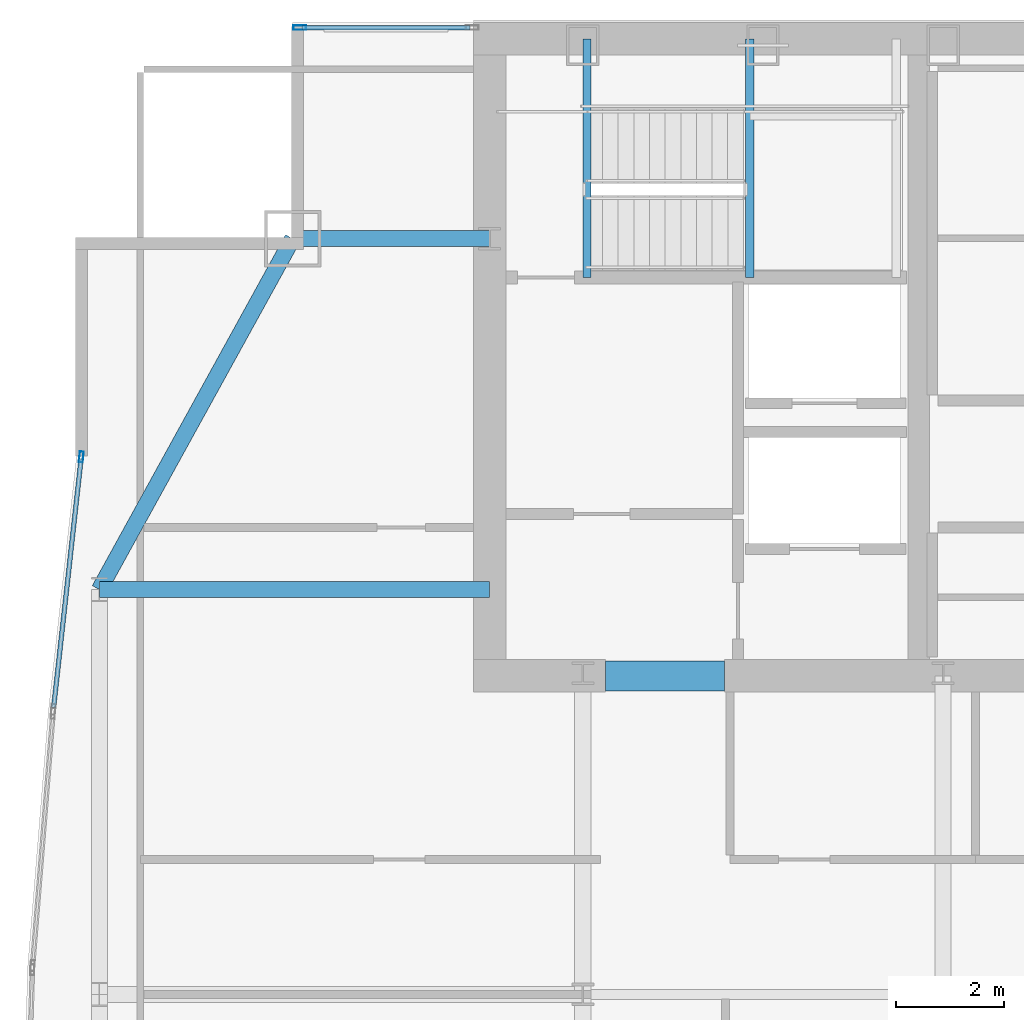
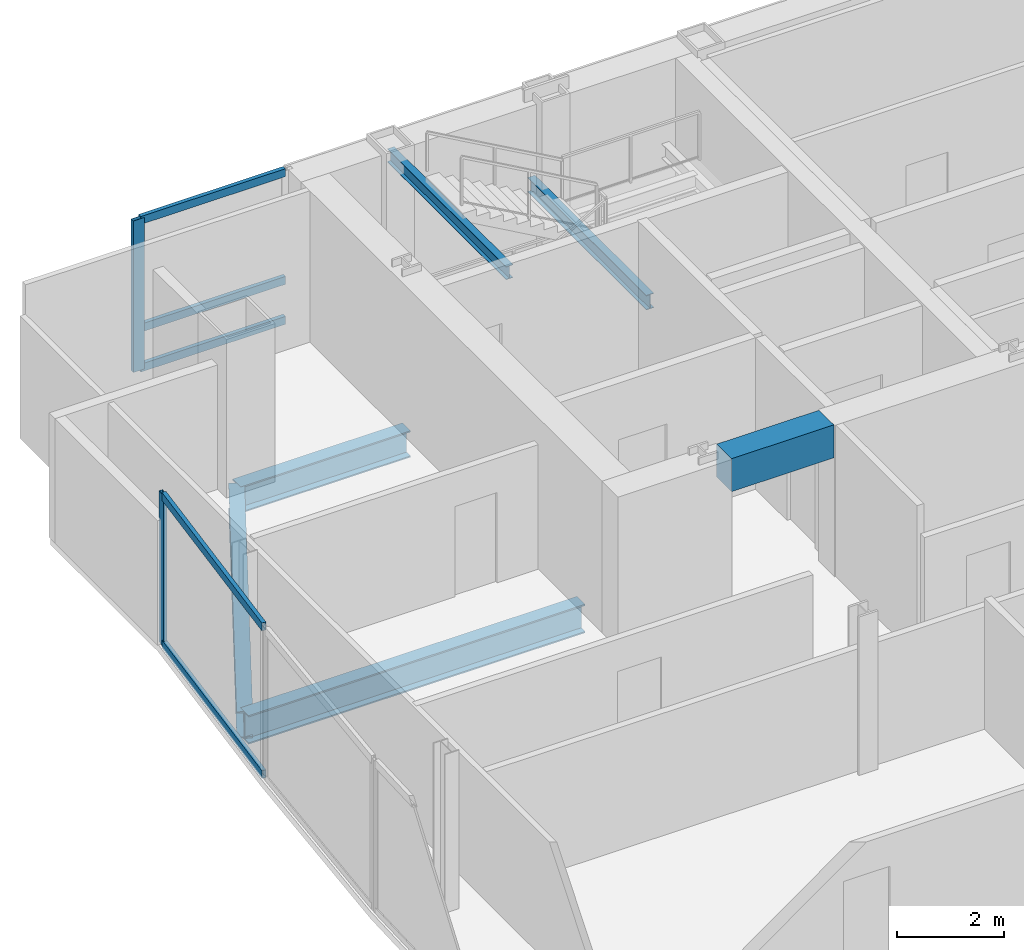
# One storey, part 19 of 29: 7 members, 6 beams, 2 elements without a shape of their own.
"""IFC4 building model written with IfcOpenShell, lengths in metres."""

import ifcopenshell
import ifcopenshell.guid

model = None  # the IFC model being written
_history = None  # IfcOwnerHistory: only IFC2X3 demands one
_inside = {}  # id of a spatial element -> (the spatial element, [elements in it])
_under = {}  # id of a project, library or spatial element -> (it, [spatial elements below it])
_declared = {}  # id of a project -> (the project, [libraries it declares])
_typed = {}  # id of a type object -> (the type object, [elements of that type])
_made_of = {}  # id of a material, layer set ... -> (it, [elements and type objects made of it])


def new_model(schema):
    """Start an empty IFC model of exactly this schema.

    Asked for "IFC4X3", IfcOpenShell would pick the latest addendum, in which some entities
    have other attributes; the version numbers below select the first issue.
    IFC2X3 requires an IfcOwnerHistory on every rooted entity: one is made here for all.
    """
    global model, _history
    if schema == "IFC4X3":
        model = ifcopenshell.file(schema_version=(4, 3, 0, 0))
    else:
        model = ifcopenshell.file(schema=schema)
    _inside.clear()
    _under.clear()
    _declared.clear()
    _typed.clear()
    _made_of.clear()
    _history = None
    if model.schema == "IFC2X3":
        org = make("IfcOrganization", Name="unknown")
        user = make(
            "IfcPersonAndOrganization",
            ThePerson=make("IfcPerson", FamilyName="unknown"),
            TheOrganization=org,
        )
        app = make(
            "IfcApplication",
            ApplicationDeveloper=org,
            Version="unknown",
            ApplicationFullName="unknown",
            ApplicationIdentifier="unknown",
        )
        _history = make(
            "IfcOwnerHistory",
            OwningUser=user,
            OwningApplication=app,
            ChangeAction="ADDED",
            CreationDate=0,
        )
    return model


def make(cls, **values):
    """One entity of the class cls with the attributes given. An attribute that is None is left unset."""
    return model.create_entity(
        cls, **{name: value for name, value in values.items() if value is not None}
    )


def rooted(cls, **values):
    """An entity with a GlobalId (a new one), such as an element, a storey or a relation."""
    return make(cls, GlobalId=ifcopenshell.guid.new(), OwnerHistory=_history, **values)


def si_unit(unit_type, name, prefix=None):
    """IfcSIUnit, for example si_unit("LENGTHUNIT", "METRE", prefix="MILLI")."""
    return make("IfcSIUnit", UnitType=unit_type, Prefix=prefix, Name=name)


def assignment(units):
    """IfcUnitAssignment: the units of a project."""
    return None if units is None else make("IfcUnitAssignment", Units=units)


def point(xyz):
    """IfcCartesianPoint."""
    return None if xyz is None else make("IfcCartesianPoint", Coordinates=xyz)


def direction(xyz):
    """IfcDirection."""
    return None if xyz is None else make("IfcDirection", DirectionRatios=xyz)


def frame(location, z_axis=None, x_axis=None):
    """IfcAxis2Placement3D, a coordinate frame: its origin and axes. An axis left out is left unset."""
    return make(
        "IfcAxis2Placement3D",
        Location=point(location),
        Axis=direction(z_axis),
        RefDirection=direction(x_axis),
    )


def frame_2d(location, x_axis=None):
    """IfcAxis2Placement2D, a coordinate frame in the plane: its origin and x axis."""
    return make(
        "IfcAxis2Placement2D", Location=point(location), RefDirection=direction(x_axis)
    )


def origin():
    """The frame at (0, 0, 0) with its axes left unset."""
    return frame((0.0, 0.0, 0.0))


def origin_2d():
    """The frame at (0, 0) in the plane with its x axis left unset."""
    return frame_2d((0.0, 0.0))


def place(relative_to, where):
    """IfcLocalPlacement: puts the frame where relative to a parent placement (None: the world)."""
    return make(
        "IfcLocalPlacement", PlacementRelTo=relative_to, RelativePlacement=where
    )


def context(
    kind, dimensions, precision=None, world=None, true_north=None, identifier=None
):
    """IfcGeometricRepresentationContext, for example the 3D "Model" context."""
    return make(
        "IfcGeometricRepresentationContext",
        ContextIdentifier=identifier,
        ContextType=kind,
        CoordinateSpaceDimension=dimensions,
        Precision=precision,
        WorldCoordinateSystem=world,
        TrueNorth=true_north,
    )


def subcontext(parent, identifier, kind, view, scale=None):
    """IfcGeometricRepresentationSubContext, for example "Body" below "Model"."""
    return make(
        "IfcGeometricRepresentationSubContext",
        ContextIdentifier=identifier,
        ContextType=kind,
        ParentContext=parent,
        TargetScale=scale,
        TargetView=view,
    )


def project(units=None, contexts=None):
    """IfcProject with its units and contexts."""
    return rooted(
        "IfcProject",
        Name="project",
        RepresentationContexts=contexts,
        UnitsInContext=assignment(units),
    )


def spatial(cls, under=None, at=None, **own):
    """A site, building, storey or space (cls), placed at a placement, below another one or the project."""
    s = rooted(cls, ObjectPlacement=at, **own)
    if under is not None:
        _under.setdefault(under.id(), (under, []))[1].append(s)
    return s


def profile(cls, at=None, kind="AREA", **sizes):
    """A parametric profile (cls). Its sizes go by their IFC names, for example OverallWidth=200.0."""
    return make(cls, ProfileType=kind, Position=at, **sizes)


def rectangle(**sizes):
    """IfcRectangleProfileDef."""
    return profile("IfcRectangleProfileDef", **sizes)


def hollow_rectangle(**sizes):
    """IfcRectangleHollowProfileDef."""
    return profile("IfcRectangleHollowProfileDef", **sizes)


def i_section(**sizes):
    """IfcIShapeProfileDef."""
    return profile("IfcIShapeProfileDef", **sizes)


def extrude(swept, where, along, depth):
    """IfcExtrudedAreaSolid: the profile swept, set in the frame where, extruded along a direction by depth."""
    return make(
        "IfcExtrudedAreaSolid",
        SweptArea=swept,
        Position=where,
        ExtrudedDirection=direction(along),
        Depth=depth,
    )


def shape(context_of_items, identifier, shape_type, items):
    """IfcShapeRepresentation: the items that make up one representation, for example the "Body"."""
    return make(
        "IfcShapeRepresentation",
        ContextOfItems=context_of_items,
        RepresentationIdentifier=identifier,
        RepresentationType=shape_type,
        Items=items,
    )


def material(Name=None, Category=None):
    """IfcMaterial."""
    return make("IfcMaterial", Name=Name, Category=Category)


def material_profile(
    of_material, cross_section, Name=None, Category=None, Priority=None
):
    """IfcMaterialProfile: a cross section and its material."""
    return make(
        "IfcMaterialProfile",
        Name=Name,
        Material=of_material,
        Profile=cross_section,
        Priority=Priority,
        Category=Category,
    )


def profile_set(profiles, Name=None, composite=None):
    """IfcMaterialProfileSet."""
    return make(
        "IfcMaterialProfileSet",
        Name=Name,
        MaterialProfiles=profiles,
        CompositeProfile=composite,
    )


def made_of(thing, what):
    """Note that an element or type object is made of a material, layer set ...; save() writes the relation."""
    if what is not None:
        _made_of.setdefault(what.id(), (what, []))[1].append(thing)
    return thing


def type_object(cls, material=None, **own):
    """A type object (cls), such as IfcWallType, which elements share."""
    return made_of(rooted(cls, **own), material)


def element(
    cls,
    number,
    at=None,
    inside=None,
    cuts=None,
    type_object=None,
    material=None,
    context=None,
    identifier="Body",
    shape_type=None,
    held_by="IfcProductDefinitionShape",
    body=None,
    shapes=None,
    **own,
):
    """One element of the class cls, such as IfcWall. Its Tag is "e" and its number.

    at: its placement. inside: the storey or other place that contains it. cuts: it is an
    opening in that element (IfcRelVoidsElement). A single representation is given by context,
    identifier, shape_type and body (its items); several are given by shapes. held_by: the class
    of the entity that holds the representations. save() writes the other relations.
    """
    e = rooted(cls, Tag="e%d" % number, ObjectPlacement=at, **own)
    if body is not None:
        shapes = [shape(context, identifier, shape_type, body)]
    if shapes is not None:
        e.Representation = make(held_by, Representations=shapes)
    if inside is not None:
        _inside.setdefault(inside.id(), (inside, []))[1].append(e)
    if cuts is not None:
        rooted(
            "IfcRelVoidsElement", RelatingBuildingElement=cuts, RelatedOpeningElement=e
        )
    if type_object is not None:
        _typed.setdefault(type_object.id(), (type_object, []))[1].append(e)
    return made_of(e, material)


def aggregate(whole, parts):
    """IfcRelAggregates: a whole, such as a stair, and the parts it consists of."""
    return rooted("IfcRelAggregates", RelatingObject=whole, RelatedObjects=parts)


def save(model, path):
    """Write the relations noted so far, then the file.

    IfcRelAggregates (storeys below a building ...), IfcRelContainedInSpatialStructure (elements
    in a storey), IfcRelDefinesByType, IfcRelAssociatesMaterial and IfcRelDeclares: one each for
    every whole, place, type object, material and project.
    """
    for whole, parts in _under.values():
        aggregate(whole, parts)
    for where, things in _inside.values():
        rooted(
            "IfcRelContainedInSpatialStructure",
            RelatedElements=things,
            RelatingStructure=where,
        )
    for kind, things in _typed.values():
        rooted("IfcRelDefinesByType", RelatedObjects=things, RelatingType=kind)
    for what, things in _made_of.values():
        rooted("IfcRelAssociatesMaterial", RelatedObjects=things, RelatingMaterial=what)
    for by, libraries in _declared.values():
        rooted("IfcRelDeclares", RelatingContext=by, RelatedDefinitions=libraries)
    model.write(path)


model = new_model("IFC4")

# Units and contexts
model_context = context("Model", 3, precision=1e-05, world=origin(), true_north=direction((0.0, 1.0)))
body_context = subcontext(model_context, "Body", "Model", "MODEL_VIEW")
ifc_project = project(units=[si_unit("LENGTHUNIT", "METRE"), si_unit("AREAUNIT", "SQUARE_METRE"), si_unit("VOLUMEUNIT", "CUBIC_METRE"), si_unit("PLANEANGLEUNIT", "RADIAN"), si_unit("MASSUNIT", "GRAM", prefix="KILO")], contexts=[model_context])

# Site, building, storey
site_placement = place(None, origin())
site = spatial("IfcSite", under=ifc_project, at=site_placement, CompositionType="ELEMENT")
building_placement = place(site_placement, origin())
building = spatial("IfcBuilding", under=site, at=building_placement, Name="Khoronbel Lancet Exchange", CompositionType="ELEMENT")
storey_placement = place(building_placement, frame((0.0, 0.0, 246.199951171875)))
storey = spatial("IfcBuildingStorey", under=building, at=storey_placement, Name="L63", CompositionType="ELEMENT", Elevation=246.199951171875)

# Beams
ifc_material_1 = material(Name="Steel S355", Category="steel")
ifc_material_profile_1 = material_profile(ifc_material_1, i_section(OverallWidth=0.300048828125, OverallDepth=0.64990234375, WebThickness=0.01611328125, FlangeThickness=0.031005859375, at=origin_2d()), Name="HEB 650")
ifc_profile_set_1 = profile_set([ifc_material_profile_1], Name="Steel S355")
beam_type_1 = type_object("IfcBeamType", Name="BM-BG4", PredefinedType="BEAM", material=ifc_profile_set_1)
beam_1_placement = place(storey_placement, frame((9.27001953125, 43.199951171875, -0.48486328125), z_axis=(1.0, 0.0, 0.0), x_axis=(0.0, 1.0, 0.0)))
element("IfcBeam", 1, at=beam_1_placement, inside=storey, type_object=beam_type_1, Name="Level L63 west lens tie girder LG3W", PredefinedType="BEAM", context=body_context, shape_type="SweptSolid", body=[
    extrude(i_section(OverallWidth=0.300048828125, OverallDepth=0.64990234375, WebThickness=0.01611328125, FlangeThickness=0.031005859375, at=origin_2d()), origin(), (0.0, 0.0, 1.0), 7.22998046875),
])
ifc_material_profile_2 = material_profile(ifc_material_1, i_section(OverallWidth=0.159912109375, OverallDepth=0.330078125, WebThickness=0.007568359375, FlangeThickness=0.011474609375, at=origin_2d()), Name="IPE 330")
ifc_profile_set_2 = profile_set([ifc_material_profile_2], Name="Steel S355")
beam_type_2 = type_object("IfcBeamType", Name="BM-BJ7", PredefinedType="JOIST", material=ifc_profile_set_2)
beam_2_placement = place(storey_placement, frame((21.320068359375, 48.97998046875, 1.43505859375), z_axis=(0.0, 1.0, 0.0), x_axis=(-1.0, 0.0, 0.0)))
element("IfcBeam", 2, at=beam_2_placement, inside=storey, type_object=beam_type_2, Name="Level L63 stair ST1 landing bearer beam 1", PredefinedType="JOIST", context=body_context, shape_type="SweptSolid", body=[
    extrude(i_section(OverallWidth=0.159912109375, OverallDepth=0.330078125, WebThickness=0.007568359375, FlangeThickness=0.011474609375, at=origin_2d()), origin(), (0.0, 0.0, 1.0), 4.419921875),
])
ifc_material_profile_3 = material_profile(ifc_material_1, i_section(OverallWidth=0.14990234375, OverallDepth=0.300048828125, WebThickness=0.007080078125, FlangeThickness=0.0107421875, at=origin_2d()), Name="IPE 300")
ifc_profile_set_3 = profile_set([ifc_material_profile_3], Name="Steel S355")
beam_type_3 = type_object("IfcBeamType", Name="BM-BJ8", PredefinedType="JOIST", material=ifc_profile_set_3)
beam_3_placement = place(storey_placement, frame((18.300048828125, 48.97998046875, 3.16015625), z_axis=(0.0, 1.0, 0.0), x_axis=(-1.0, 0.0, 0.0)))
element("IfcBeam", 3, at=beam_3_placement, inside=storey, type_object=beam_type_3, Name="Level L63 stair ST1 upper-flight arrival trimmer beam", PredefinedType="JOIST", context=body_context, shape_type="SweptSolid", body=[
    extrude(i_section(OverallWidth=0.14990234375, OverallDepth=0.300048828125, WebThickness=0.007080078125, FlangeThickness=0.0107421875, at=origin_2d()), origin(), (0.0, 0.0, 1.0), 4.419921875),
])
ifc_material_2 = material(Name="Concrete C60/75", Category="concrete")
ifc_material_profile_4 = material_profile(ifc_material_2, rectangle(XDim=0.550048828125, YDim=0.75, at=origin_2d()), Name="RC 550x750")
ifc_profile_set_4 = profile_set([ifc_material_profile_4], Name="Concrete C60/75")
beam_type_4 = type_object("IfcBeamType", Name="BM-BL2", PredefinedType="LINTEL", material=ifc_profile_set_4)
beam_4_placement = place(storey_placement, frame((18.64990234375, 41.60009765625, 3.06494140625), z_axis=(1.0, 0.0, 0.0), x_axis=(0.0, 1.0, 0.0)))
element("IfcBeam", 4, at=beam_4_placement, inside=storey, type_object=beam_type_4, Name="Level L63 rear core coupling lintel L1", PredefinedType="LINTEL", context=body_context, shape_type="SweptSolid", body=[
    extrude(rectangle(XDim=0.550048828125, YDim=0.75, at=origin_2d()), origin(), (0.0, 0.0, 1.0), 2.2001953125),
])
ifc_material_profile_5 = material_profile(ifc_material_1, i_section(OverallWidth=0.300048828125, OverallDepth=0.60009765625, WebThickness=0.015380859375, FlangeThickness=0.030029296875, at=origin_2d()), Name="HEB 600")
ifc_profile_set_5 = profile_set([ifc_material_profile_5], Name="Steel S355")
beam_type_5 = type_object("IfcBeamType", Name="BM-BSP2", PredefinedType="SPANDREL", material=ifc_profile_set_5)
beam_5_placement = place(storey_placement, frame((12.85009765625, 49.699951171875, -0.4599609375), z_axis=(-0.482444051088, -0.875926787791, 0.0), x_axis=(0.875926787791, -0.482444051088, 0.0)))
element("IfcBeam", 5, at=beam_5_placement, inside=storey, type_object=beam_type_5, Name="Level L63 perimeter spandrel beam SP16", PredefinedType="SPANDREL", context=body_context, shape_type="SweptSolid", body=[
    extrude(i_section(OverallWidth=0.300048828125, OverallDepth=0.60009765625, WebThickness=0.015380859375, FlangeThickness=0.030029296875, at=origin_2d()), origin(), (0.0, 0.0, 1.0), 7.420654296875),
])
beam_6_placement = place(storey_placement, frame((12.85009765625, 49.699951171875, -0.4599609375), z_axis=(1.0, 0.0, 0.0), x_axis=(0.0, 1.0, 0.0)))
element("IfcBeam", 6, at=beam_6_placement, inside=storey, type_object=beam_type_5, Name="Level L63 north flank tie spandrel SP22", PredefinedType="SPANDREL", context=body_context, shape_type="SweptSolid", body=[
    extrude(i_section(OverallWidth=0.300048828125, OverallDepth=0.60009765625, WebThickness=0.015380859375, FlangeThickness=0.030029296875, at=origin_2d()), origin(), (0.0, 0.0, 1.0), 3.64990234375),
])

# Curtain wall, member
ifc_material_3 = material(Name="Low-E Solar Control Insulating Glass", Category="glass")
curtain_wall_type_1 = type_object("IfcCurtainWallType", Name="CW-3", PredefinedType="NOTDEFINED", material=ifc_material_3)
curtain_wall_1_placement = place(storey_placement, origin())
curtain_wall_1 = element("IfcCurtainWall", 7, at=curtain_wall_1_placement, inside=storey, type_object=curtain_wall_type_1, Name="Unitised curtain wall CW-L63-NWFLK", PredefinedType="NOTDEFINED")
ifc_material_4 = material(Name="Bronze-Anodised Aluminium 6063-T6", Category="aluminium")
ifc_material_profile_6 = material_profile(ifc_material_4, hollow_rectangle(XDim=0.0849609375, YDim=0.239990234375, WallThickness=0.006103515625, at=origin_2d()), Name="ALU MULLION 85x240")
ifc_profile_set_6 = profile_set([ifc_material_profile_6], Name="Bronze-Anodised Aluminium 6063-T6")
member_type_1 = type_object("IfcMemberType", Name="MEM-CWM1", PredefinedType="MULLION", material=ifc_profile_set_6)
member_1_placement = place(storey_placement, frame((12.982421875, 53.610107421875, 0.0), z_axis=(0.0, 0.0, 1.0), x_axis=(0.0, -1.0, 0.0)))
member_1 = element("IfcMember", 8, at=member_1_placement, type_object=member_type_1, Name="CW3 mullion 2", PredefinedType="MULLION", context=body_context, shape_type="SweptSolid", body=[
    extrude(hollow_rectangle(XDim=0.0849609375, YDim=0.239990234375, WallThickness=0.006103515625, at=origin_2d()), origin(), (0.0, 0.0, 1.0), 3.43994140625),
])

# Curtain wall, members
curtain_wall_type_2 = type_object("IfcCurtainWallType", Name="CW-4", PredefinedType="NOTDEFINED", material=ifc_material_3)
curtain_wall_2_placement = place(storey_placement, origin())
curtain_wall_2 = element("IfcCurtainWall", 9, at=curtain_wall_2_placement, inside=storey, type_object=curtain_wall_type_2, Name="Unitised curtain wall CW-L63-E09", PredefinedType="NOTDEFINED")
ifc_material_profile_7 = material_profile(ifc_material_4, hollow_rectangle(XDim=0.074951171875, YDim=0.199951171875, WallThickness=0.0048828125, at=origin_2d()), Name="ALU MULLION 75x200")
ifc_profile_set_7 = profile_set([ifc_material_profile_7], Name="Bronze-Anodised Aluminium 6063-T6")
member_type_2 = type_object("IfcMemberType", Name="MEM-CWM2", PredefinedType="MULLION", material=ifc_profile_set_7)
member_2_placement = place(storey_placement, frame((8.935791015625, 45.65771484375, 0.0), z_axis=(0.0, 0.0, 1.0), x_axis=(-0.993947317123, 0.109857775256, 0.0)))
member_2 = element("IfcMember", 10, at=member_2_placement, type_object=member_type_2, Name="CW4 mullion 2", PredefinedType="MULLION", context=body_context, shape_type="SweptSolid", body=[
    extrude(hollow_rectangle(XDim=0.074951171875, YDim=0.199951171875, WallThickness=0.0048828125, at=origin_2d()), origin(), (0.0, 0.0, 1.0), 3.43994140625),
])
ifc_material_profile_8 = material_profile(ifc_material_4, hollow_rectangle(XDim=0.0849609375, YDim=0.179931640625, WallThickness=0.0048828125, at=origin_2d()), Name="ALU TRANSOM 85x180")
ifc_profile_set_8 = profile_set([ifc_material_profile_8], Name="Bronze-Anodised Aluminium 6063-T6")
member_type_3 = type_object("IfcMemberType", Name="MEM-CWT1", PredefinedType="USERDEFINED", material=ifc_profile_set_8)
member_3_placement = place(storey_placement, frame((8.4228515625, 41.015869140625, 0.04248046875), z_axis=(0.109829937442, 0.993950393552, 0.0), x_axis=(-0.993950393552, 0.109829937442, 0.0)))
member_3 = element("IfcMember", 11, at=member_3_placement, type_object=member_type_3, Name="CW4 transom 1.1", ObjectType="TRANSOM", PredefinedType="USERDEFINED", context=body_context, shape_type="SweptSolid", body=[
    extrude(hollow_rectangle(XDim=0.0849609375, YDim=0.179931640625, WallThickness=0.0048828125, at=origin_2d()), origin(), (0.0, 0.0, 1.0), 4.632568359375),
])
member_4_placement = place(storey_placement, frame((8.4228515625, 41.015869140625, 3.3974609375), z_axis=(0.109829937442, 0.993950393552, 0.0), x_axis=(-0.993950393552, 0.109829937442, 0.0)))
member_4 = element("IfcMember", 12, at=member_4_placement, type_object=member_type_3, Name="CW4 transom 1.2", ObjectType="TRANSOM", PredefinedType="USERDEFINED", context=body_context, shape_type="SweptSolid", body=[
    extrude(hollow_rectangle(XDim=0.0849609375, YDim=0.179931640625, WallThickness=0.0048828125, at=origin_2d()), origin(), (0.0, 0.0, 1.0), 4.632568359375),
])
aggregate(curtain_wall_2, [member_2, member_3, member_4])

# Member
member_5_placement = place(storey_placement, frame((16.135009765625, 53.610107421875, 0.04248046875), z_axis=(-1.0, 0.0, 0.0), x_axis=(0.0, -1.0, 0.0)))
member_5 = element("IfcMember", 13, at=member_5_placement, type_object=member_type_3, Name="CW3 transom 1.1", ObjectType="TRANSOM", PredefinedType="USERDEFINED", context=body_context, shape_type="SweptSolid", body=[
    extrude(hollow_rectangle(XDim=0.0849609375, YDim=0.179931640625, WallThickness=0.0048828125, at=origin_2d()), origin(), (0.0, 0.0, 1.0), 3.110107421875),
])

member_6_placement = place(storey_placement, frame((16.135009765625, 53.610107421875, 0.949951171875), z_axis=(-1.0, 0.0, 0.0), x_axis=(0.0, -1.0, 0.0)))
member_6 = element("IfcMember", 14, at=member_6_placement, type_object=member_type_3, Name="CW3 transom 1.2", ObjectType="TRANSOM", PredefinedType="USERDEFINED", context=body_context, shape_type="SweptSolid", body=[
    extrude(hollow_rectangle(XDim=0.0849609375, YDim=0.179931640625, WallThickness=0.0048828125, at=origin_2d()), origin(), (0.0, 0.0, 1.0), 3.110107421875),
])

member_7_placement = place(storey_placement, frame((16.135009765625, 53.610107421875, 3.3974609375), z_axis=(-1.0, 0.0, 0.0), x_axis=(0.0, -1.0, 0.0)))
member_7 = element("IfcMember", 15, at=member_7_placement, type_object=member_type_3, Name="CW3 transom 1.3", ObjectType="TRANSOM", PredefinedType="USERDEFINED", context=body_context, shape_type="SweptSolid", body=[
    extrude(hollow_rectangle(XDim=0.0849609375, YDim=0.179931640625, WallThickness=0.0048828125, at=origin_2d()), origin(), (0.0, 0.0, 1.0), 3.110107421875),
])

aggregate(curtain_wall_1, [member_1, member_5, member_6, member_7])

save(model, "model.ifc")
